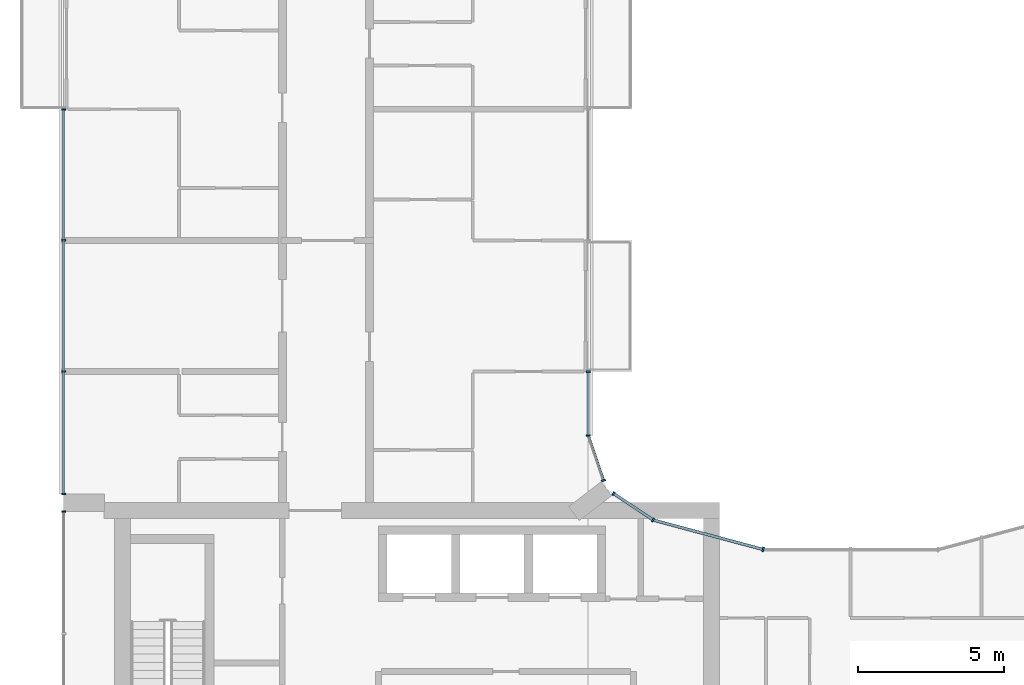
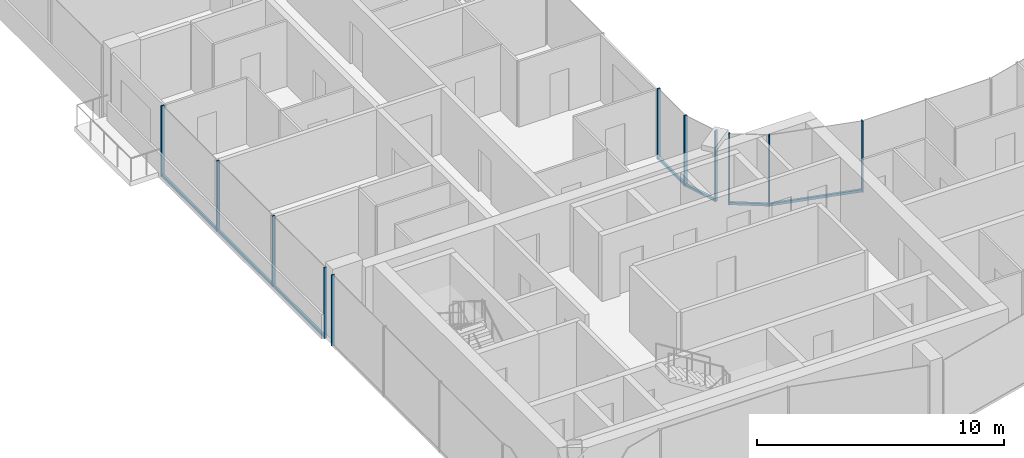
# One storey, part 4 of 15: 16 members, 6 elements without a shape of their own.
"""IFC4 building model written with IfcOpenShell, lengths in metres."""

from ifc_helpers import new_model, si_unit, direction, frame, origin, origin_2d, place, context, subcontext, project, spatial, rectangle, extrude, material, layer, layer_set, material_profile, profile_set, type_object, element, aggregate, save


model = new_model("IFC4")

# Units and contexts
model_context = context("Model", 3, precision=1e-05, world=origin(), true_north=direction((0.0, 1.0)))
body_context = subcontext(model_context, "Body", "Model", "MODEL_VIEW")
ifc_project = project(units=[si_unit("LENGTHUNIT", "METRE"), si_unit("AREAUNIT", "SQUARE_METRE"), si_unit("VOLUMEUNIT", "CUBIC_METRE"), si_unit("PLANEANGLEUNIT", "RADIAN"), si_unit("MASSUNIT", "GRAM", prefix="KILO")], contexts=[model_context])

# Site, building, storey
site_placement = place(None, origin())
site = spatial("IfcSite", under=ifc_project, at=site_placement, CompositionType="ELEMENT")
building_placement = place(site_placement, origin())
building = spatial("IfcBuilding", under=site, at=building_placement, Name="Plateau Cross Towers", CompositionType="ELEMENT")
storey_placement = place(building_placement, frame((0.0, 0.0, 204.89990234375)))
storey = spatial("IfcBuildingStorey", under=building, at=storey_placement, Name="L53", CompositionType="ELEMENT", Elevation=204.89990234375)

# Curtain wall, members
ifc_material_1 = material(Name="Dark low-iron glass", Category="glass")
ifc_layer_1 = layer(ifc_material_1, 0.239990234375)
ifc_layer_set_1 = layer_set([ifc_layer_1], Name="Dark low-iron glass")
curtain_wall_type_1 = type_object("IfcCurtainWallType", Name="Curtain wall flush unitised CW-B", PredefinedType="NOTDEFINED", material=ifc_layer_set_1)
curtain_wall_1_placement = place(storey_placement, origin())
curtain_wall_1 = element("IfcCurtainWall", 1, at=curtain_wall_1_placement, inside=storey, type_object=curtain_wall_type_1, Name="ENV/A/L53/A202_174", PredefinedType="NOTDEFINED")
ifc_material_2 = material(Name="Black anodised aluminium", Category="aluminium")
ifc_material_profile_1 = material_profile(ifc_material_2, rectangle(XDim=0.06005859375, YDim=0.139892578125, at=origin_2d()), Name="MULLION 60x140")
ifc_profile_set_1 = profile_set([ifc_material_profile_1], Name="Black anodised aluminium")
member_type_1 = type_object("IfcMemberType", Name="Mullion 60x140 flush unitised", PredefinedType="MULLION", material=ifc_profile_set_1)
member_1_placement = place(storey_placement, frame((20.223876953125, 17.404296875, -0.25), z_axis=(0.0, 0.0, 1.0), x_axis=(-0.831521253329, 0.555492938984, 0.0)))
member_1 = element("IfcMember", 2, at=member_1_placement, type_object=member_type_1, Name="CW-B mullion 1", PredefinedType="MULLION", context=body_context, shape_type="SweptSolid", body=[
    extrude(rectangle(XDim=0.06005859375, YDim=0.139892578125, at=origin_2d()), origin(), (0.0, 0.0, 1.0), 3.5),
])
member_2_placement = place(storey_placement, frame((18.86962890625, 18.30908203125, -0.25), z_axis=(0.0, 0.0, 1.0), x_axis=(-0.831521253329, 0.555492938984, 0.0)))
member_2 = element("IfcMember", 3, at=member_2_placement, type_object=member_type_1, Name="CW-B mullion 2", PredefinedType="MULLION", context=body_context, shape_type="SweptSolid", body=[
    extrude(rectangle(XDim=0.06005859375, YDim=0.139892578125, at=origin_2d()), origin(), (0.0, 0.0, 1.0), 3.5),
])

# Curtain wall, member
curtain_wall_2_placement = place(storey_placement, origin())
curtain_wall_2 = element("IfcCurtainWall", 4, at=curtain_wall_2_placement, inside=storey, type_object=curtain_wall_type_1, Name="ENV/A/L53/A185_188", PredefinedType="NOTDEFINED")
member_3_placement = place(storey_placement, frame((18.523681640625, 18.760009765625, -0.25), z_axis=(0.0, 0.0, 1.0), x_axis=(-0.321469161574, 0.94692004845, 0.0)))
member_3 = element("IfcMember", 5, at=member_3_placement, type_object=member_type_1, Name="CW-B mullion 1", PredefinedType="MULLION", context=body_context, shape_type="SweptSolid", body=[
    extrude(rectangle(XDim=0.06005859375, YDim=0.139892578125, at=origin_2d()), origin(), (0.0, 0.0, 1.0), 3.5),
])

# Curtain wall, members
curtain_wall_3_placement = place(storey_placement, origin())
curtain_wall_3 = element("IfcCurtainWall", 6, at=curtain_wall_3_placement, inside=storey, type_object=curtain_wall_type_1, Name="ENV/A/L53/A180_203", PredefinedType="NOTDEFINED")
member_4_placement = place(storey_placement, frame((18.0, 20.30224609375, -0.25), z_axis=(0.0, 0.0, 1.0), x_axis=(0.0, 1.0, 0.0)))
member_4 = element("IfcMember", 7, at=member_4_placement, type_object=member_type_1, Name="CW-B mullion 1", PredefinedType="MULLION", context=body_context, shape_type="SweptSolid", body=[
    extrude(rectangle(XDim=0.06005859375, YDim=0.139892578125, at=origin_2d()), origin(), (0.0, 0.0, 1.0), 3.5),
])
member_5_placement = place(storey_placement, frame((18.0, 22.489990234375, -0.25), z_axis=(0.0, 0.0, 1.0), x_axis=(0.0, 1.0, 0.0)))
member_5 = element("IfcMember", 8, at=member_5_placement, type_object=member_type_1, Name="CW-B mullion 2", PredefinedType="MULLION", context=body_context, shape_type="SweptSolid", body=[
    extrude(rectangle(XDim=0.06005859375, YDim=0.139892578125, at=origin_2d()), origin(), (0.0, 0.0, 1.0), 3.5),
])

curtain_wall_4_placement = place(storey_placement, origin())
curtain_wall_4 = element("IfcCurtainWall", 9, at=curtain_wall_4_placement, inside=storey, type_object=curtain_wall_type_1, Name="ENV/A/L53/A0_315", PredefinedType="NOTDEFINED")
member_6_placement = place(storey_placement, frame((0.0, 31.489990234375, -0.25), z_axis=(0.0, 0.0, 1.0), x_axis=(0.0, -1.0, 0.0)))
member_6 = element("IfcMember", 10, at=member_6_placement, type_object=member_type_1, Name="CW-B mullion 1", PredefinedType="MULLION", context=body_context, shape_type="SweptSolid", body=[
    extrude(rectangle(XDim=0.06005859375, YDim=0.139892578125, at=origin_2d()), origin(), (0.0, 0.0, 1.0), 3.5),
])
member_7_placement = place(storey_placement, frame((0.0, 27.0, -0.25), z_axis=(0.0, 0.0, 1.0), x_axis=(0.0, -1.0, 0.0)))
member_7 = element("IfcMember", 11, at=member_7_placement, type_object=member_type_1, Name="CW-B mullion 2", PredefinedType="MULLION", context=body_context, shape_type="SweptSolid", body=[
    extrude(rectangle(XDim=0.06005859375, YDim=0.139892578125, at=origin_2d()), origin(), (0.0, 0.0, 1.0), 3.5),
])
member_8_placement = place(storey_placement, frame((0.0, 22.5, -0.25), z_axis=(0.0, 0.0, 1.0), x_axis=(0.0, -1.0, 0.0)))
member_8 = element("IfcMember", 12, at=member_8_placement, type_object=member_type_1, Name="CW-B mullion 3", PredefinedType="MULLION", context=body_context, shape_type="SweptSolid", body=[
    extrude(rectangle(XDim=0.06005859375, YDim=0.139892578125, at=origin_2d()), origin(), (0.0, 0.0, 1.0), 3.5),
])
member_9_placement = place(storey_placement, frame((0.0, 18.300048828125, -0.25), z_axis=(0.0, 0.0, 1.0), x_axis=(0.0, -1.0, 0.0)))
member_9 = element("IfcMember", 13, at=member_9_placement, type_object=member_type_1, Name="CW-B mullion 4", PredefinedType="MULLION", context=body_context, shape_type="SweptSolid", body=[
    extrude(rectangle(XDim=0.06005859375, YDim=0.139892578125, at=origin_2d()), origin(), (0.0, 0.0, 1.0), 3.5),
])

# Curtain wall, member
curtain_wall_5_placement = place(storey_placement, origin())
curtain_wall_5 = element("IfcCurtainWall", 14, at=curtain_wall_5_placement, inside=storey, type_object=curtain_wall_type_1, Name="ENV/A/L53/A0_177", PredefinedType="NOTDEFINED")
member_10_placement = place(storey_placement, frame((0.0, 17.699951171875, -0.25), z_axis=(0.0, 0.0, 1.0), x_axis=(0.0, -1.0, 0.0)))
member_10 = element("IfcMember", 15, at=member_10_placement, type_object=member_type_1, Name="CW-B mullion 1", PredefinedType="MULLION", context=body_context, shape_type="SweptSolid", body=[
    extrude(rectangle(XDim=0.06005859375, YDim=0.139892578125, at=origin_2d()), origin(), (0.0, 0.0, 1.0), 3.5),
])
aggregate(curtain_wall_5, [member_10])

ifc_layer_2 = layer(ifc_material_1, 0.260009765625)
ifc_layer_set_2 = layer_set([ifc_layer_2], Name="Dark low-iron glass")
curtain_wall_type_2 = type_object("IfcCurtainWallType", Name="Curtain wall fluted unitised CW-A", PredefinedType="NOTDEFINED", material=ifc_layer_set_2)
curtain_wall_6_placement = place(storey_placement, origin())
curtain_wall_6 = element("IfcCurtainWall", 16, at=curtain_wall_6_placement, inside=storey, type_object=curtain_wall_type_2, Name="ENV/A/L53/A240_164", PredefinedType="NOTDEFINED")
ifc_material_profile_2 = material_profile(ifc_material_2, rectangle(XDim=0.06005859375, YDim=0.159912109375, at=origin_2d()), Name="MULLION 60x160")
ifc_profile_set_2 = profile_set([ifc_material_profile_2], Name="Black anodised aluminium")
member_type_2 = type_object("IfcMemberType", Name="Mullion 60x160 fluted unitised", PredefinedType="MULLION", material=ifc_profile_set_2)
member_11_placement = place(storey_placement, frame((24.0, 16.39306640625, -0.25), z_axis=(0.0, 0.0, 1.0), x_axis=(-0.965957995816, 0.258698956933, 0.0)))
member_11 = element("IfcMember", 17, at=member_11_placement, type_object=member_type_2, Name="CW-A mullion 1", PredefinedType="MULLION", context=body_context, shape_type="SweptSolid", body=[
    extrude(rectangle(XDim=0.06005859375, YDim=0.159912109375, at=origin_2d()), origin(), (0.0, 0.0, 1.0), 3.5),
])

# Member
ifc_material_profile_3 = material_profile(ifc_material_2, rectangle(XDim=0.10009765625, YDim=0.1201171875, at=origin_2d()), Name="TRANSOM 100x120")
ifc_profile_set_3 = profile_set([ifc_material_profile_3], Name="Black anodised aluminium")
member_type_3 = type_object("IfcMemberType", Name="Transom 100x120 flush unitised", PredefinedType="USERDEFINED", material=ifc_profile_set_3)
member_12_placement = place(storey_placement, frame((20.223876953125, 17.404296875, -0.18994140625), z_axis=(-0.831496402487, 0.555530136582, 0.0), x_axis=(-0.555530136582, -0.831496402487, 0.0)))
member_12 = element("IfcMember", 18, at=member_12_placement, type_object=member_type_3, Name="CW-B transom", ObjectType="TRANSOM", PredefinedType="USERDEFINED", context=body_context, shape_type="SweptSolid", body=[
    extrude(rectangle(XDim=0.10009765625, YDim=0.1201171875, at=origin_2d()), origin(), (0.0, 0.0, 1.0), 1.628662109375),
])

aggregate(curtain_wall_1, [member_1, member_2, member_12])

member_13_placement = place(storey_placement, frame((18.523681640625, 18.760009765625, -0.18994140625), z_axis=(-0.321529174838, 0.946899672472, 0.0), x_axis=(-0.946899672472, -0.321529174838, 0.0)))
member_13 = element("IfcMember", 19, at=member_13_placement, type_object=member_type_3, Name="CW-B transom", ObjectType="TRANSOM", PredefinedType="USERDEFINED", context=body_context, shape_type="SweptSolid", body=[
    extrude(rectangle(XDim=0.10009765625, YDim=0.1201171875, at=origin_2d()), origin(), (0.0, 0.0, 1.0), 1.628662109375),
])

aggregate(curtain_wall_2, [member_3, member_13])

member_14_placement = place(storey_placement, frame((18.0, 20.30224609375, -0.18994140625), z_axis=(0.0, 1.0, 0.0), x_axis=(-1.0, 0.0, 0.0)))
member_14 = element("IfcMember", 20, at=member_14_placement, type_object=member_type_3, Name="CW-B transom", ObjectType="TRANSOM", PredefinedType="USERDEFINED", context=body_context, shape_type="SweptSolid", body=[
    extrude(rectangle(XDim=0.10009765625, YDim=0.1201171875, at=origin_2d()), origin(), (0.0, 0.0, 1.0), 2.187744140625),
])

aggregate(curtain_wall_3, [member_4, member_5, member_14])

member_15_placement = place(storey_placement, frame((0.0, 31.489990234375, -0.18994140625), z_axis=(0.0, -1.0, 0.0), x_axis=(1.0, 0.0, 0.0)))
member_15 = element("IfcMember", 21, at=member_15_placement, type_object=member_type_3, Name="CW-B transom", ObjectType="TRANSOM", PredefinedType="USERDEFINED", context=body_context, shape_type="SweptSolid", body=[
    extrude(rectangle(XDim=0.10009765625, YDim=0.1201171875, at=origin_2d()), origin(), (0.0, 0.0, 1.0), 13.18994140625),
])

aggregate(curtain_wall_4, [member_6, member_7, member_8, member_9, member_15])

ifc_material_profile_4 = material_profile(ifc_material_2, rectangle(XDim=0.10009765625, YDim=0.1201171875, at=origin_2d()), Name="TRANSOM 100x120")
ifc_profile_set_4 = profile_set([ifc_material_profile_4], Name="Black anodised aluminium")
member_type_4 = type_object("IfcMemberType", Name="Transom 100x120 fluted unitised", PredefinedType="USERDEFINED", material=ifc_profile_set_4)
member_16_placement = place(storey_placement, frame((24.0, 16.39306640625, -0.18994140625), z_axis=(-0.965962822393, 0.25868093427, 0.0), x_axis=(-0.25868093427, -0.965962822393, 0.0)))
member_16 = element("IfcMember", 22, at=member_16_placement, type_object=member_type_4, Name="CW-A transom", ObjectType="TRANSOM", PredefinedType="USERDEFINED", context=body_context, shape_type="SweptSolid", body=[
    extrude(rectangle(XDim=0.10009765625, YDim=0.1201171875, at=origin_2d()), origin(), (0.0, 0.0, 1.0), 3.9091796875),
])

aggregate(curtain_wall_6, [member_11, member_16])

save(model, "model.ifc")
